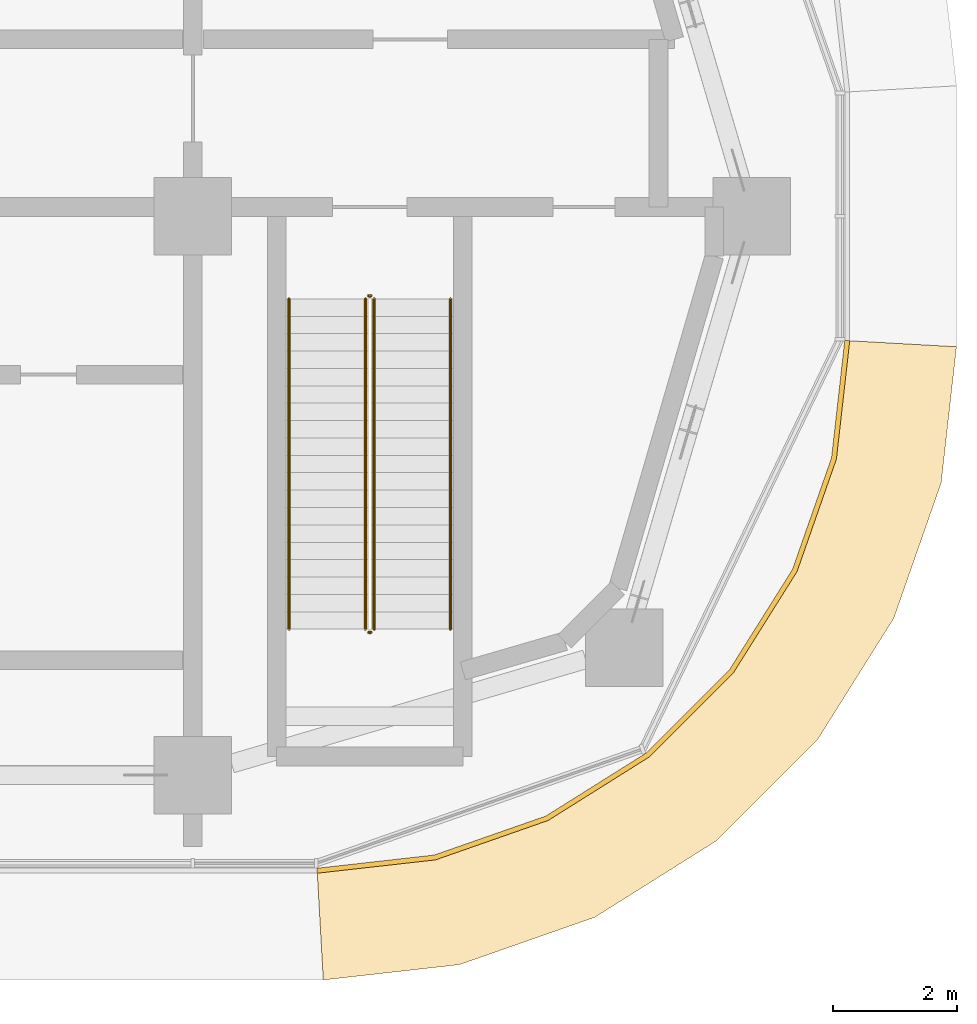
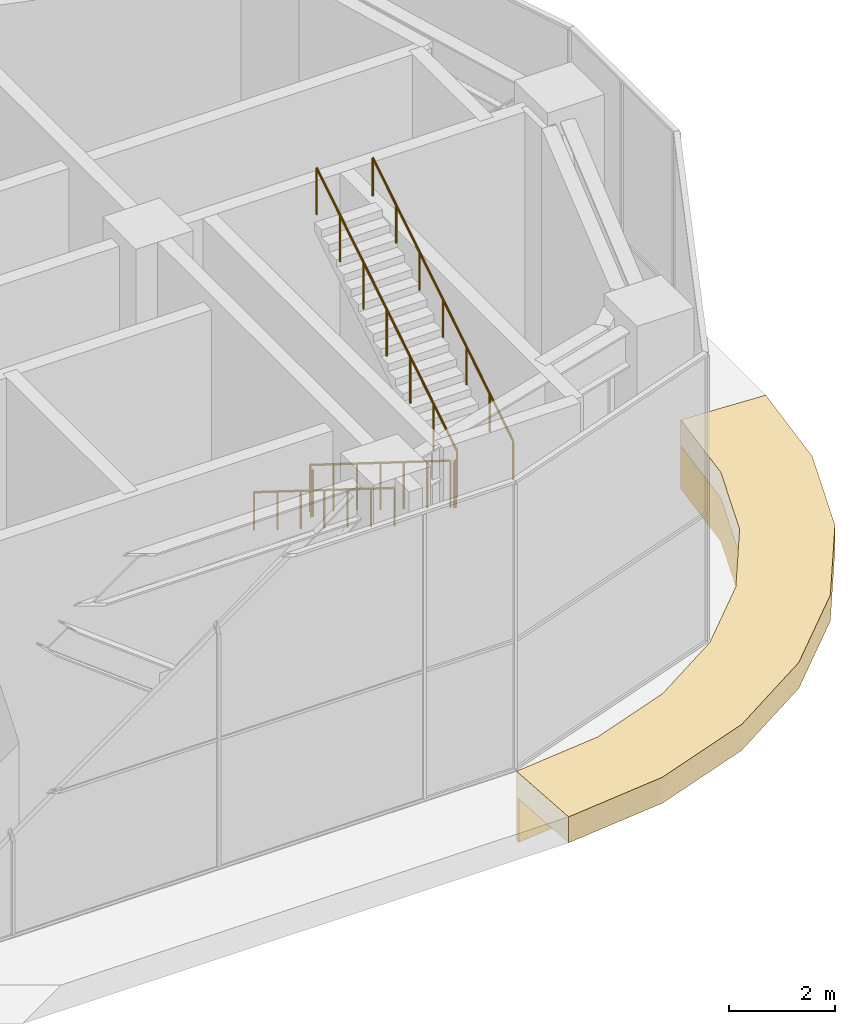
# One storey, part 31 of 35: 6 railings, 2 coverings.
"""IFC4 building model written with IfcOpenShell, lengths in metres."""

from ifc_helpers import new_model, si_unit, direction, frame, origin, origin_2d, place, context, subcontext, project, spatial, polyline, circle, outline, extrude, material, layer, layer_set, type_object, element, save


model = new_model("IFC4")

# Units and contexts
model_context = context("Model", 3, precision=1e-05, world=origin(), true_north=direction((0.0, 1.0)))
body_context = subcontext(model_context, "Body", "Model", "MODEL_VIEW")
ifc_project = project(units=[si_unit("LENGTHUNIT", "METRE"), si_unit("AREAUNIT", "SQUARE_METRE"), si_unit("VOLUMEUNIT", "CUBIC_METRE"), si_unit("PLANEANGLEUNIT", "RADIAN"), si_unit("MASSUNIT", "GRAM", prefix="KILO")], contexts=[model_context])

# Site, building, storey
site_placement = place(None, origin())
site = spatial("IfcSite", under=ifc_project, at=site_placement, CompositionType="ELEMENT")
building_placement = place(site_placement, origin())
building = spatial("IfcBuilding", under=site, at=building_placement, Name="Ogive Portal Towers", CompositionType="ELEMENT")
storey_placement = place(building_placement, frame((0.0, 0.0, 135.199951171875)))
storey = spatial("IfcBuildingStorey", under=building, at=storey_placement, Name="L33", CompositionType="ELEMENT", Elevation=135.199951171875)

# Railings
ifc_material_1 = material(Name="Stainless steel balustrade", Category="steel")
railing_type_1 = type_object("IfcRailingType", Name="INT-GUARD", PredefinedType="GUARDRAIL", material=ifc_material_1)
railing_1_placement = place(storey_placement, frame((88.280029296875, 29.169921875, 0.175048828125)))
element("IfcRailing", 1, at=railing_1_placement, inside=storey, type_object=railing_type_1, Name="L33 ST-A4 stair guard 1", PredefinedType="GUARDRAIL", context=body_context, shape_type="SweptSolid", body=[
    extrude(circle(Radius=0.02392578125, at=origin_2d()), frame((0.0, 0.0, 1.076171875), z_axis=(0.0, -0.847993931318, 0.530005936238), x_axis=(1.0, 0.0, 0.0)), (0.0, 0.0, 1.0), 6.2734375),
    extrude(circle(Radius=0.02099609375, at=origin_2d()), origin(), (0.0, 0.0, 1.0), 1.052001953125),
    extrude(circle(Radius=0.02099609375, at=origin_2d()), frame((0.0, -0.88671875, 0.55419921875)), (0.0, 0.0, 1.0), 1.052001953125),
    extrude(circle(Radius=0.02099609375, at=origin_2d()), frame((0.0, -1.773193359375, 1.1083984375)), (0.0, 0.0, 1.0), 1.052001953125),
    extrude(circle(Radius=0.02099609375, at=origin_2d()), frame((0.0, -2.659912109375, 1.66259765625)), (0.0, 0.0, 1.0), 1.052001953125),
    extrude(circle(Radius=0.02099609375, at=origin_2d()), frame((0.0, -3.546630859375, 2.216552734375)), (0.0, 0.0, 1.0), 1.052001953125),
    extrude(circle(Radius=0.02099609375, at=origin_2d()), frame((0.0, -4.43310546875, 2.770751953125)), (0.0, 0.0, 1.0), 1.052001953125),
    extrude(circle(Radius=0.02099609375, at=origin_2d()), frame((0.0, -5.31982421875, 3.324951171875)), (0.0, 0.0, 1.0), 1.052001953125),
])
railing_2_placement = place(storey_placement, frame((88.330078125, 23.800048828125, 3.5)))
element("IfcRailing", 2, at=railing_2_placement, inside=storey, type_object=railing_type_1, Name="L33 ST-A4 stair guard 2", PredefinedType="GUARDRAIL", context=body_context, shape_type="SweptSolid", body=[
    extrude(circle(Radius=0.02392578125, at=origin_2d()), frame((0.0, 0.0, 1.076171875), z_axis=(1.0, 0.0, 0.0), x_axis=(0.0, 1.0, 0.0)), (0.0, 0.0, 1.0), 0.0400390625),
    extrude(circle(Radius=0.02099609375, at=origin_2d()), origin(), (0.0, 0.0, 1.0), 1.052001953125),
    extrude(circle(Radius=0.02099609375, at=origin_2d()), frame((0.0400390625, 0.0, 0.0)), (0.0, 0.0, 1.0), 1.052001953125),
])
railing_3_placement = place(storey_placement, frame((88.419921875, 23.85009765625, 3.675048828125)))
element("IfcRailing", 3, at=railing_3_placement, inside=storey, type_object=railing_type_1, Name="L33 ST-A4 stair guard 3", PredefinedType="GUARDRAIL", context=body_context, shape_type="SweptSolid", body=[
    extrude(circle(Radius=0.02392578125, at=origin_2d()), frame((0.0, 0.0, 1.076171875), z_axis=(0.0, 0.847993931318, 0.530005936238), x_axis=(-1.0, 0.0, 0.0)), (0.0, 0.0, 1.0), 6.2734375),
    extrude(circle(Radius=0.02099609375, at=origin_2d()), origin(), (0.0, 0.0, 1.0), 1.052001953125),
    extrude(circle(Radius=0.02099609375, at=origin_2d()), frame((0.0, 0.88671875, 0.55419921875)), (0.0, 0.0, 1.0), 1.052001953125),
    extrude(circle(Radius=0.02099609375, at=origin_2d()), frame((0.0, 1.773193359375, 1.1083984375)), (0.0, 0.0, 1.0), 1.052001953125),
    extrude(circle(Radius=0.02099609375, at=origin_2d()), frame((0.0, 2.659912109375, 1.66259765625)), (0.0, 0.0, 1.0), 1.052001953125),
    extrude(circle(Radius=0.02099609375, at=origin_2d()), frame((0.0, 3.546630859375, 2.216552734375)), (0.0, 0.0, 1.0), 1.052001953125),
    extrude(circle(Radius=0.02099609375, at=origin_2d()), frame((0.0, 4.43310546875, 2.770751953125)), (0.0, 0.0, 1.0), 1.052001953125),
    extrude(circle(Radius=0.02099609375, at=origin_2d()), frame((0.0, 5.31982421875, 3.324951171875)), (0.0, 0.0, 1.0), 1.052001953125),
])
railing_4_placement = place(storey_placement, frame((88.330078125, 29.219970703125, 0.0)))
element("IfcRailing", 4, at=railing_4_placement, inside=storey, type_object=railing_type_1, Name="L33 ST-A4 stair guard 4", PredefinedType="GUARDRAIL", context=body_context, shape_type="SweptSolid", body=[
    extrude(circle(Radius=0.02392578125, at=origin_2d()), frame((0.0, 0.0, 1.076171875), z_axis=(1.0, 0.0, 0.0), x_axis=(0.0, 1.0, 0.0)), (0.0, 0.0, 1.0), 0.0400390625),
    extrude(circle(Radius=0.02099609375, at=origin_2d()), origin(), (0.0, 0.0, 1.0), 1.052001953125),
    extrude(circle(Radius=0.02099609375, at=origin_2d()), frame((0.0400390625, 0.0, 0.0)), (0.0, 0.0, 1.0), 1.052001953125),
])
ifc_material_2 = material(Name="Stainless steel handrail", Category="steel")
railing_type_2 = type_object("IfcRailingType", Name="INT-HANDRAIL", PredefinedType="HANDRAIL", material=ifc_material_2)
railing_5_placement = place(storey_placement, frame((87.050048828125, 29.169921875, 0.175048828125)))
element("IfcRailing", 5, at=railing_5_placement, inside=storey, type_object=railing_type_2, Name="L33 ST-A4 stair handrail 1", PredefinedType="HANDRAIL", context=body_context, shape_type="SweptSolid", body=[
    extrude(circle(Radius=0.02392578125, at=origin_2d()), frame((0.0, 0.0, 0.8759765625), z_axis=(0.0, -0.847993931318, 0.530005936238), x_axis=(1.0, 0.0, 0.0)), (0.0, 0.0, 1.0), 6.2734375),
    extrude(circle(Radius=0.02099609375, at=origin_2d()), origin(), (0.0, 0.0, 1.0), 0.851806640625),
    extrude(circle(Radius=0.02099609375, at=origin_2d()), frame((0.0, -0.88671875, 0.55419921875)), (0.0, 0.0, 1.0), 0.851806640625),
    extrude(circle(Radius=0.02099609375, at=origin_2d()), frame((0.0, -1.773193359375, 1.1083984375)), (0.0, 0.0, 1.0), 0.851806640625),
    extrude(circle(Radius=0.02099609375, at=origin_2d()), frame((0.0, -2.659912109375, 1.66259765625)), (0.0, 0.0, 1.0), 0.851806640625),
    extrude(circle(Radius=0.02099609375, at=origin_2d()), frame((0.0, -3.546630859375, 2.216552734375)), (0.0, 0.0, 1.0), 0.851806640625),
    extrude(circle(Radius=0.02099609375, at=origin_2d()), frame((0.0, -4.43310546875, 2.770751953125)), (0.0, 0.0, 1.0), 0.851806640625),
    extrude(circle(Radius=0.02099609375, at=origin_2d()), frame((0.0, -5.31982421875, 3.324951171875)), (0.0, 0.0, 1.0), 0.851806640625),
])
railing_6_placement = place(storey_placement, frame((89.64990234375, 23.85009765625, 3.675048828125)))
element("IfcRailing", 6, at=railing_6_placement, inside=storey, type_object=railing_type_2, Name="L33 ST-A4 stair handrail 2", PredefinedType="HANDRAIL", context=body_context, shape_type="SweptSolid", body=[
    extrude(circle(Radius=0.02392578125, at=origin_2d()), frame((0.0, 0.0, 0.8759765625), z_axis=(0.0, 0.847993931318, 0.530005936238), x_axis=(-1.0, 0.0, 0.0)), (0.0, 0.0, 1.0), 6.2734375),
    extrude(circle(Radius=0.02099609375, at=origin_2d()), origin(), (0.0, 0.0, 1.0), 0.851806640625),
    extrude(circle(Radius=0.02099609375, at=origin_2d()), frame((0.0, 0.88671875, 0.55419921875)), (0.0, 0.0, 1.0), 0.851806640625),
    extrude(circle(Radius=0.02099609375, at=origin_2d()), frame((0.0, 1.773193359375, 1.1083984375)), (0.0, 0.0, 1.0), 0.851806640625),
    extrude(circle(Radius=0.02099609375, at=origin_2d()), frame((0.0, 2.659912109375, 1.66259765625)), (0.0, 0.0, 1.0), 0.851806640625),
    extrude(circle(Radius=0.02099609375, at=origin_2d()), frame((0.0, 3.546630859375, 2.216552734375)), (0.0, 0.0, 1.0), 0.851806640625),
    extrude(circle(Radius=0.02099609375, at=origin_2d()), frame((0.0, 4.43310546875, 2.770751953125)), (0.0, 0.0, 1.0), 0.851806640625),
    extrude(circle(Radius=0.02099609375, at=origin_2d()), frame((0.0, 5.31982421875, 3.324951171875)), (0.0, 0.0, 1.0), 0.851806640625),
])

# Coverings
ifc_material_3 = material(Name="Limestone cladding on lightweight block wall", Category="masonry")
ifc_layer_1 = layer(ifc_material_3, 0.080078125)
ifc_layer_set_1 = layer_set([ifc_layer_1], Name="STONE SPANDREL 80")
covering_type_1 = type_object("IfcCoveringType", Name="STONE SPANDREL 80", PredefinedType="CLADDING", material=ifc_layer_set_1)
covering_1_placement = place(storey_placement, frame((0.0, 0.0, -1.599853515625)))
element("IfcCovering", 7, at=covering_1_placement, inside=storey, type_object=covering_type_1, Name="Stone spandrel A1-F06", PredefinedType="CLADDING", context=body_context, shape_type="SweptSolid", body=[
    extrude(outline(polyline([(87.5, 20.0), (89.391357421875, 20.213134765625), (91.18798828125, 20.841796875), (92.799560546875, 21.8544921875), (94.1455078125, 23.200439453125), (95.158203125, 24.81201171875), (95.786865234375, 26.608642578125), (96.0, 28.5), (96.080078125, 28.49560546875), (95.865478515625, 26.590576171875), (95.230712890625, 24.777099609375), (94.20849609375, 23.150146484375), (92.849853515625, 21.79150390625), (91.222900390625, 20.769287109375), (89.409423828125, 20.134521484375), (87.50439453125, 19.919921875), (87.5, 20.0)])), origin(), (0.0, 0.0, 1.0), 1.0),
])
ifc_layer_2 = layer(ifc_material_3, 0.60009765625)
ifc_layer_set_2 = layer_set([ifc_layer_2], Name="SUNSHADE LIP 600")
covering_type_2 = type_object("IfcCoveringType", Name="SUNSHADE LIP 600", PredefinedType="CLADDING", material=ifc_layer_set_2)
covering_2_placement = place(storey_placement, frame((0.0, 0.0, -0.599853515625)))
element("IfcCovering", 8, at=covering_2_placement, inside=storey, type_object=covering_type_2, Name="Sunshade lip A1-F06", PredefinedType="CLADDING", context=body_context, shape_type="SweptSolid", body=[
    extrude(outline(polyline([(87.5, 20.0), (89.391357421875, 20.213134765625), (91.18798828125, 20.841796875), (92.799560546875, 21.8544921875), (94.1455078125, 23.200439453125), (95.158203125, 24.81201171875), (95.786865234375, 26.608642578125), (96.0, 28.5), (97.800048828125, 28.39892578125), (97.552978515625, 26.20556640625), (96.790283203125, 24.026123046875), (95.561767578125, 22.071044921875), (93.928955078125, 20.438232421875), (91.973876953125, 19.209716796875), (89.79443359375, 18.447021484375), (87.60107421875, 18.199951171875), (87.5, 20.0)])), origin(), (0.0, 0.0, 1.0), 0.599853515625),
])

save(model, "model.ifc")
